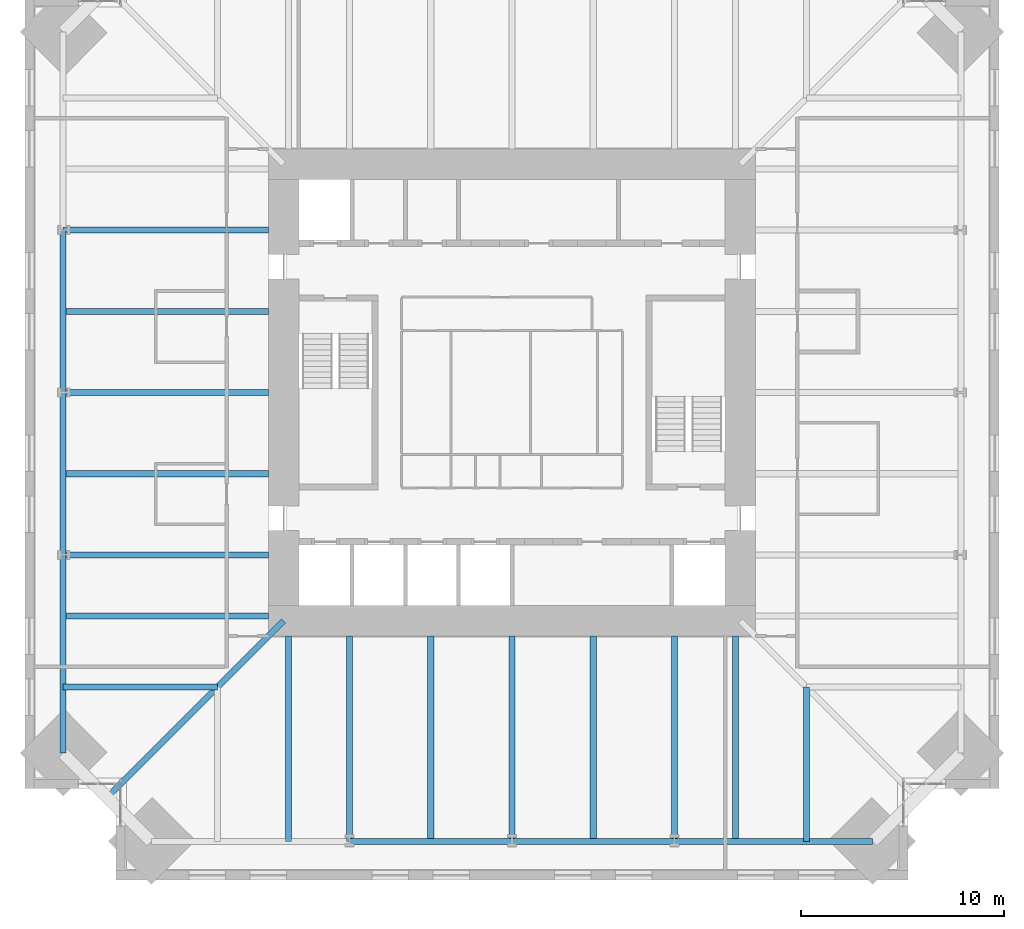
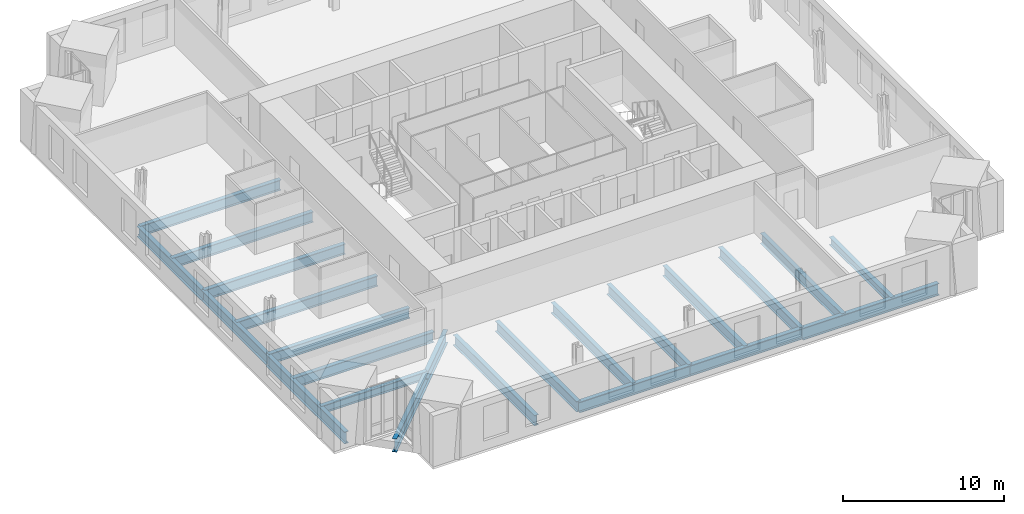
# One storey, part 3 of 15: 22 beams.
"""IFC4 building model written with IfcOpenShell, lengths in metres."""

from ifc_helpers import new_model, si_unit, direction, frame, origin, origin_2d, place, context, subcontext, project, spatial, i_section, extrude, material, material_profile, profile_set, type_object, element, save


model = new_model("IFC4")

# Units and contexts
model_context = context("Model", 3, precision=1e-05, world=origin(), true_north=direction((0.0, 1.0)))
body_context = subcontext(model_context, "Body", "Model", "MODEL_VIEW")
ifc_project = project(units=[si_unit("LENGTHUNIT", "METRE"), si_unit("AREAUNIT", "SQUARE_METRE"), si_unit("VOLUMEUNIT", "CUBIC_METRE"), si_unit("PLANEANGLEUNIT", "RADIAN"), si_unit("MASSUNIT", "GRAM", prefix="KILO")], contexts=[model_context])

# Site, building, storey
site_placement = place(None, origin())
site = spatial("IfcSite", under=ifc_project, at=site_placement, CompositionType="ELEMENT")
building_placement = place(site_placement, origin())
building = spatial("IfcBuilding", under=site, at=building_placement, Name="Peilmerk Tower", CompositionType="ELEMENT")
storey_placement = place(building_placement, frame((0.0, 0.0, 217.800048828125)))
storey = spatial("IfcBuildingStorey", under=building, at=storey_placement, Name="L47", CompositionType="ELEMENT", Elevation=217.800048828125)

# Beams
ifc_material = material(Name="Steel S355", Category="steel")
ifc_material_profile_1 = material_profile(ifc_material, i_section(OverallWidth=0.302978515625, OverallDepth=0.81396484375, WebThickness=0.02099609375, FlangeThickness=0.0400390625, at=origin_2d()), Name="HEM 800")
ifc_profile_set_1 = profile_set([ifc_material_profile_1], Name="Steel S355")
beam_type_1 = type_object("IfcBeamType", Name="B15 HEM 800 edge beam", PredefinedType="SPANDREL", material=ifc_profile_set_1)
for number, where, z_axis, x_axis, name in (
    (1, (-8.0, -22.114501953125, -0.5771484375), (1.0, 0.0, 0.0), (0.0, 1.0, 0.0), "Edge beam L47"),
    (2, (0.0, -22.114501953125, -0.5771484375), (1.0, 0.0, 0.0), (0.0, 1.0, 0.0), "Edge beam L47"),
    (3, (-22.114501953125, 8.0, -0.5771484375), (0.0, -1.0, 0.0), (1.0, 0.0, 0.0), "Edge beam L47"),
    (4, (-22.114501953125, 0.0, -0.5771484375), (0.0, -1.0, 0.0), (1.0, 0.0, 0.0), "Edge beam L47"),
):
    element("IfcBeam", number, at=place(storey_placement, frame(where, z_axis=z_axis, x_axis=x_axis)), inside=storey, type_object=beam_type_1, Name=name, PredefinedType="SPANDREL", context=body_context, shape_type="SweptSolid", body=[
        extrude(i_section(OverallWidth=0.302978515625, OverallDepth=0.81396484375, WebThickness=0.02099609375, FlangeThickness=0.0400390625, at=origin_2d()), origin(), (0.0, 0.0, 1.0), 8.0),
    ])
ifc_material_profile_2 = material_profile(ifc_material, i_section(OverallWidth=0.302001953125, OverallDepth=0.909912109375, WebThickness=0.02099609375, FlangeThickness=0.0400390625, at=origin_2d()), Name="HEM 900")
ifc_profile_set_2 = profile_set([ifc_material_profile_2], Name="Steel S355")
beam_type_2 = type_object("IfcBeamType", Name="B2 HEM 900 edge beam", PredefinedType="SPANDREL", material=ifc_profile_set_2)
for number, where, z_axis, x_axis, name in (
    (5, (8.0, -22.114501953125, -0.625), (1.0, 0.0, 0.0), (0.0, 1.0, 0.0), "Edge beam L47"),
    (6, (-22.114501953125, -8.0, -0.625), (0.0, -1.0, 0.0), (1.0, 0.0, 0.0), "Edge beam L47"),
):
    element("IfcBeam", number, at=place(storey_placement, frame(where, z_axis=z_axis, x_axis=x_axis)), inside=storey, type_object=beam_type_2, Name=name, PredefinedType="SPANDREL", context=body_context, shape_type="SweptSolid", body=[
        extrude(i_section(OverallWidth=0.302001953125, OverallDepth=0.909912109375, WebThickness=0.02099609375, FlangeThickness=0.0400390625, at=origin_2d()), origin(), (0.0, 0.0, 1.0), 9.764404296875),
    ])
ifc_material_profile_3 = material_profile(ifc_material, i_section(OverallWidth=0.300048828125, OverallDepth=0.590087890625, WebThickness=0.012939453125, FlangeThickness=0.02490234375, at=origin_2d()), Name="HEA 600")
ifc_profile_set_3 = profile_set([ifc_material_profile_3], Name="Steel S355")
beam_type_3 = type_object("IfcBeamType", Name="B27 HEA 600 floor beam", PredefinedType="BEAM", material=ifc_profile_set_3)
for number, where, z_axis, x_axis, name in (
    (7, (14.5, -14.5, -0.465087890625), (0.0, -1.0, 0.0), (1.0, 0.0, 0.0), "Floor beam L47"),
    (8, (-14.5, -14.5, -0.465087890625), (-1.0, 0.0, 0.0), (0.0, -1.0, 0.0), "Floor beam L47"),
):
    element("IfcBeam", number, at=place(storey_placement, frame(where, z_axis=z_axis, x_axis=x_axis)), inside=storey, type_object=beam_type_3, Name=name, PredefinedType="BEAM", context=body_context, shape_type="SweptSolid", body=[
        extrude(i_section(OverallWidth=0.300048828125, OverallDepth=0.590087890625, WebThickness=0.012939453125, FlangeThickness=0.02490234375, at=origin_2d()), origin(), (0.0, 0.0, 1.0), 7.614501953125),
    ])
ifc_material_profile_4 = material_profile(ifc_material, i_section(OverallWidth=0.300048828125, OverallDepth=0.7900390625, WebThickness=0.014892578125, FlangeThickness=0.028076171875, at=origin_2d()), Name="HEA 800")
ifc_profile_set_4 = profile_set([ifc_material_profile_4], Name="Steel S355")
beam_type_4 = type_object("IfcBeamType", Name="B3 HEA 800 floor beam", PredefinedType="BEAM", material=ifc_profile_set_4)
for number, where, z_axis, x_axis, name in (
    (9, (-11.0, -12.0, -0.56494140625), (0.0, -1.0, 0.0), (1.0, 0.0, 0.0), "Floor beam L47"),
    (10, (-8.0, -12.0, -0.56494140625), (0.0, -1.0, 0.0), (1.0, 0.0, 0.0), "Floor beam L47"),
    (11, (-4.0, -12.0, -0.56494140625), (0.0, -1.0, 0.0), (1.0, 0.0, 0.0), "Floor beam L47"),
    (12, (0.0, -12.0, -0.56494140625), (0.0, -1.0, 0.0), (1.0, 0.0, 0.0), "Floor beam L47"),
    (13, (4.0, -12.0, -0.56494140625), (0.0, -1.0, 0.0), (1.0, 0.0, 0.0), "Floor beam L47"),
    (14, (8.0, -12.0, -0.56494140625), (0.0, -1.0, 0.0), (1.0, 0.0, 0.0), "Floor beam L47"),
    (15, (11.0, -12.0, -0.56494140625), (0.0, -1.0, 0.0), (1.0, 0.0, 0.0), "Floor beam L47"),
    (16, (-12.0, 8.0, -0.56494140625), (-1.0, 0.0, 0.0), (0.0, -1.0, 0.0), "Floor beam L47"),
    (17, (-12.0, 4.0, -0.56494140625), (-1.0, 0.0, 0.0), (0.0, -1.0, 0.0), "Floor beam L47"),
    (18, (-12.0, 0.0, -0.56494140625), (-1.0, 0.0, 0.0), (0.0, -1.0, 0.0), "Floor beam L47"),
    (19, (-12.0, -4.0, -0.56494140625), (-1.0, 0.0, 0.0), (0.0, -1.0, 0.0), "Floor beam L47"),
    (20, (-12.0, -8.0, -0.56494140625), (-1.0, 0.0, 0.0), (0.0, -1.0, 0.0), "Floor beam L47"),
    (21, (-12.0, -11.0, -0.56494140625), (-1.0, 0.0, 0.0), (0.0, -1.0, 0.0), "Floor beam L47"),
):
    element("IfcBeam", number, at=place(storey_placement, frame(where, z_axis=z_axis, x_axis=x_axis)), inside=storey, type_object=beam_type_4, Name=name, PredefinedType="BEAM", context=body_context, shape_type="SweptSolid", body=[
        extrude(i_section(OverallWidth=0.300048828125, OverallDepth=0.7900390625, WebThickness=0.014892578125, FlangeThickness=0.028076171875, at=origin_2d()), origin(), (0.0, 0.0, 1.0), 10.114501953125),
    ])
ifc_material_profile_5 = material_profile(ifc_material, i_section(OverallWidth=0.300048828125, OverallDepth=1.0, WebThickness=0.01904296875, FlangeThickness=0.035888671875, at=origin_2d()), Name="HEB 1000")
ifc_profile_set_5 = profile_set([ifc_material_profile_5], Name="Steel S355")
beam_type_5 = type_object("IfcBeamType", Name="B5 HEB 1000 floor girder", PredefinedType="BEAM", material=ifc_profile_set_5)
beam_placement = place(storey_placement, frame((-11.25, -11.25, -0.670166015625), z_axis=(-0.707106781187, -0.707106781187, 0.0), x_axis=(0.707106781187, -0.707106781187, 0.0)))
element("IfcBeam", 22, at=beam_placement, inside=storey, type_object=beam_type_5, Name="Corner girder L47", PredefinedType="BEAM", context=body_context, shape_type="SweptSolid", body=[
    extrude(i_section(OverallWidth=0.300048828125, OverallDepth=1.0, WebThickness=0.01904296875, FlangeThickness=0.035888671875, at=origin_2d()), origin(), (0.0, 0.0, 1.0), 12.288818359375),
])

save(model, "model.ifc")
